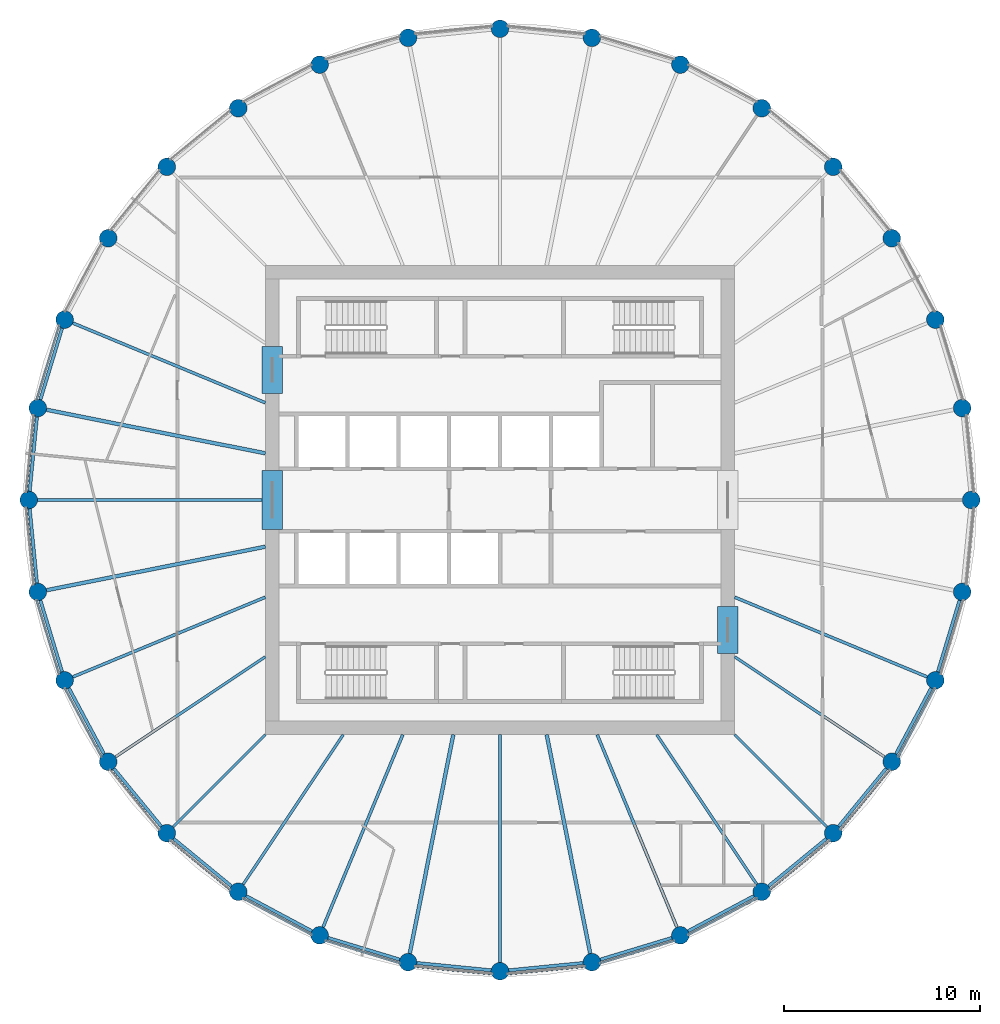
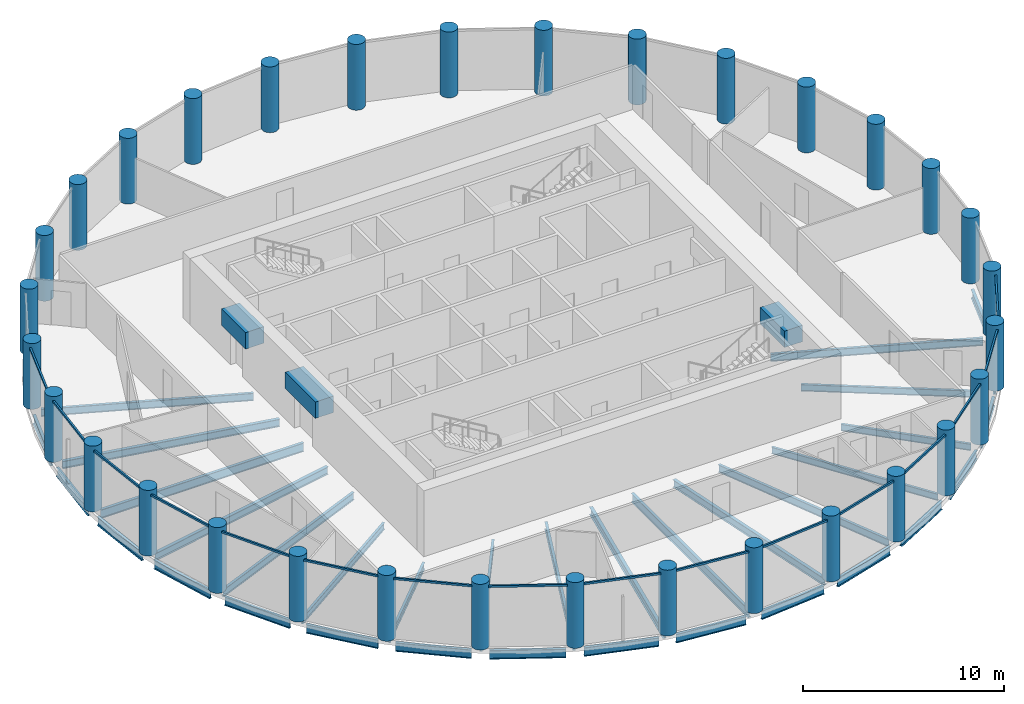
# One storey, part 1 of 7: 37 beams, 32 columns, 16 members, 16 elements without a shape of their own.
"""IFC4 building model written with IfcOpenShell, lengths in metres."""

from ifc_helpers import new_model, si_unit, direction, frame, origin, origin_2d, place, context, subcontext, project, spatial, rectangle, circle, i_section, extrude, material, material_profile, profile_set, type_object, element, aggregate, save


model = new_model("IFC4")

# Units and contexts
model_context = context("Model", 3, precision=1e-05, world=origin(), true_north=direction((0.0, 1.0)))
body_context = subcontext(model_context, "Body", "Model", "MODEL_VIEW")
ifc_project = project(units=[si_unit("LENGTHUNIT", "METRE"), si_unit("AREAUNIT", "SQUARE_METRE"), si_unit("VOLUMEUNIT", "CUBIC_METRE"), si_unit("PLANEANGLEUNIT", "RADIAN"), si_unit("MASSUNIT", "GRAM", prefix="KILO")], contexts=[model_context])

# Site, building, storey
site_placement = place(None, origin())
site = spatial("IfcSite", under=ifc_project, at=site_placement, CompositionType="ELEMENT")
building_placement = place(site_placement, origin())
building = spatial("IfcBuilding", under=site, at=building_placement, Name="Corvane Civic Tower", CompositionType="ELEMENT")
storey_placement = place(building_placement, frame((0.0, 0.0, 275.0)))
storey = spatial("IfcBuildingStorey", under=building, at=storey_placement, Name="L65", CompositionType="ELEMENT", Elevation=275.0)

# Columns
ifc_material_1 = material(Name="Concrete C60/75", Category="concrete")
ifc_material_profile_1 = material_profile(ifc_material_1, circle(Radius=0.449951171875, at=origin_2d()), Name="COLUMN 900")
ifc_profile_set_1 = profile_set([ifc_material_profile_1], Name="Concrete C60/75")
column_type = type_object("IfcColumnType", Name="RC COLUMN COLUMN 900", PredefinedType="COLUMN", material=ifc_profile_set_1)
for number, where, z_axis, x_axis, name in (
    (1, (0.0, 24.10009765625, 0.0), (0.0, 0.0, 1.0), (1.0, 0.0, 0.0), "COL-L65-E01"),
    (2, (4.70166015625, 23.636962890625, 0.0), (0.0, 0.0, 1.0), (1.0, 0.0, 0.0), "COL-L65-E02"),
    (3, (9.22265625, 22.265380859375, 0.0), (0.0, 0.0, 1.0), (1.0, 0.0, 0.0), "COL-L65-E03"),
    (4, (13.38916015625, 20.038330078125, 0.0), (0.0, 0.0, 1.0), (1.0, 0.0, 0.0), "COL-L65-E04"),
    (5, (17.041259765625, 17.041259765625, 0.0), (0.0, 0.0, 1.0), (1.0, 0.0, 0.0), "COL-L65-E05"),
    (6, (20.038330078125, 13.38916015625, 0.0), (0.0, 0.0, 1.0), (1.0, 0.0, 0.0), "COL-L65-E06"),
    (7, (22.265380859375, 9.22265625, 0.0), (0.0, 0.0, 1.0), (1.0, 0.0, 0.0), "COL-L65-E07"),
    (8, (23.636962890625, 4.70166015625, 0.0), (0.0, 0.0, 1.0), (1.0, 0.0, 0.0), "COL-L65-E08"),
    (9, (24.10009765625, 0.0, 0.0), (0.0, 0.0, 1.0), (1.0, 0.0, 0.0), "COL-L65-E09"),
    (10, (23.636962890625, -4.70166015625, 0.0), (0.0, 0.0, 1.0), (1.0, 0.0, 0.0), "COL-L65-E10"),
    (11, (22.265380859375, -9.22265625, 0.0), (0.0, 0.0, 1.0), (1.0, 0.0, 0.0), "COL-L65-E11"),
    (12, (20.038330078125, -13.38916015625, 0.0), (0.0, 0.0, 1.0), (1.0, 0.0, 0.0), "COL-L65-E12"),
    (13, (17.041259765625, -17.041259765625, 0.0), (0.0, 0.0, 1.0), (1.0, 0.0, 0.0), "COL-L65-E13"),
    (14, (13.38916015625, -20.038330078125, 0.0), (0.0, 0.0, 1.0), (1.0, 0.0, 0.0), "COL-L65-E14"),
    (15, (9.22265625, -22.265380859375, 0.0), (0.0, 0.0, 1.0), (1.0, 0.0, 0.0), "COL-L65-E15"),
    (16, (4.70166015625, -23.636962890625, 0.0), (0.0, 0.0, 1.0), (1.0, 0.0, 0.0), "COL-L65-E16"),
    (17, (0.0, -24.10009765625, 0.0), (0.0, 0.0, 1.0), (1.0, 0.0, 0.0), "COL-L65-E17"),
    (18, (-4.70166015625, -23.636962890625, 0.0), (0.0, 0.0, 1.0), (1.0, 0.0, 0.0), "COL-L65-E18"),
    (19, (-9.22265625, -22.265380859375, 0.0), (0.0, 0.0, 1.0), (1.0, 0.0, 0.0), "COL-L65-E19"),
    (20, (-13.38916015625, -20.038330078125, 0.0), (0.0, 0.0, 1.0), (1.0, 0.0, 0.0), "COL-L65-E20"),
    (21, (-17.041259765625, -17.041259765625, 0.0), (0.0, 0.0, 1.0), (1.0, 0.0, 0.0), "COL-L65-E21"),
    (22, (-20.038330078125, -13.38916015625, 0.0), (0.0, 0.0, 1.0), (1.0, 0.0, 0.0), "COL-L65-E22"),
    (23, (-22.265380859375, -9.22265625, 0.0), (0.0, 0.0, 1.0), (1.0, 0.0, 0.0), "COL-L65-E23"),
    (24, (-23.636962890625, -4.70166015625, 0.0), (0.0, 0.0, 1.0), (1.0, 0.0, 0.0), "COL-L65-E24"),
    (25, (-24.10009765625, 0.0, 0.0), (0.0, 0.0, 1.0), (1.0, 0.0, 0.0), "COL-L65-E25"),
    (26, (-23.636962890625, 4.70166015625, 0.0), (0.0, 0.0, 1.0), (1.0, 0.0, 0.0), "COL-L65-E26"),
    (27, (-22.265380859375, 9.22265625, 0.0), (0.0, 0.0, 1.0), (1.0, 0.0, 0.0), "COL-L65-E27"),
    (28, (-20.038330078125, 13.38916015625, 0.0), (0.0, 0.0, 1.0), (1.0, 0.0, 0.0), "COL-L65-E28"),
    (29, (-17.041259765625, 17.041259765625, 0.0), (0.0, 0.0, 1.0), (1.0, 0.0, 0.0), "COL-L65-E29"),
    (30, (-13.38916015625, 20.038330078125, 0.0), (0.0, 0.0, 1.0), (1.0, 0.0, 0.0), "COL-L65-E30"),
    (31, (-9.22265625, 22.265380859375, 0.0), (0.0, 0.0, 1.0), (1.0, 0.0, 0.0), "COL-L65-E31"),
    (32, (-4.70166015625, 23.636962890625, 0.0), (0.0, 0.0, 1.0), (1.0, 0.0, 0.0), "COL-L65-E32"),
):
    element("IfcColumn", number, at=place(storey_placement, frame(where, z_axis=z_axis, x_axis=x_axis)), inside=storey, type_object=column_type, Name=name, PredefinedType="COLUMN", context=body_context, shape_type="SweptSolid", body=[
        extrude(circle(Radius=0.449951171875, at=origin_2d()), origin(), (0.0, 0.0, 1.0), 4.0),
    ])

# Beams
ifc_material_2 = material(Name="Concrete C40/50", Category="concrete")
ifc_material_profile_2 = material_profile(ifc_material_2, rectangle(XDim=1.050048828125, YDim=1.0, at=origin_2d()), Name="COUPLING BEAM 1050X1000")
ifc_profile_set_2 = profile_set([ifc_material_profile_2], Name="Concrete C40/50")
beam_type_1 = type_object("IfcBeamType", Name="COUPLING BEAM COUPLING BEAM 1050X1000", PredefinedType="BEAM", material=ifc_profile_set_2)
beam_1_placement = place(storey_placement, frame((-11.64990234375, -1.5, 2.60009765625), z_axis=(0.0, 1.0, 0.0), x_axis=(-1.0, 0.0, 0.0)))
element("IfcBeam", 33, at=beam_1_placement, inside=storey, type_object=beam_type_1, Name="BM-L65-cpl-CW-LW", PredefinedType="BEAM", context=body_context, shape_type="SweptSolid", body=[
    extrude(rectangle(XDim=1.050048828125, YDim=1.0, at=origin_2d()), origin(), (0.0, 0.0, 1.0), 3.0),
])
for number, where, z_axis, x_axis, name in (
    (34, (-11.64990234375, 5.449951171875, 2.60009765625), (0.0, 1.0, 0.0), (-1.0, 0.0, 0.0), "BM-L65-cpl-CW-WN"),
    (35, (11.64990234375, -7.85009765625, 2.60009765625), (0.0, 1.0, 0.0), (-1.0, 0.0, 0.0), "BM-L65-cpl-CW-ES"),
):
    element("IfcBeam", number, at=place(storey_placement, frame(where, z_axis=z_axis, x_axis=x_axis)), inside=storey, type_object=beam_type_1, Name=name, PredefinedType="BEAM", context=body_context, shape_type="SweptSolid", body=[
        extrude(rectangle(XDim=1.050048828125, YDim=1.0, at=origin_2d()), origin(), (0.0, 0.0, 1.0), 2.400146484375),
    ])
ifc_material_3 = material(Name="Steel ASTM A992 Gr 50", Category="steel")
ifc_material_profile_3 = material_profile(ifc_material_3, i_section(OverallWidth=0.165771484375, OverallDepth=0.5283203125, WebThickness=0.009765625, FlangeThickness=0.013671875, at=origin_2d()), Name="W21X50")
ifc_profile_set_3 = profile_set([ifc_material_profile_3], Name="Steel ASTM A992 Gr 50")
beam_type_2 = type_object("IfcBeamType", Name="EDGE BEAM W21X50", PredefinedType="BEAM", material=ifc_profile_set_3)
beam_2_placement = place(storey_placement, frame((23.50634765625, -5.13232421875, -0.564208984375), z_axis=(-0.290333385085, -0.95692555902, 0.0), x_axis=(0.95692555902, -0.290333385085, 0.0)))
element("IfcBeam", 36, at=beam_2_placement, inside=storey, type_object=beam_type_2, Name="BM-L65-E10", PredefinedType="BEAM", context=body_context, shape_type="SweptSolid", body=[
    extrude(i_section(OverallWidth=0.165771484375, OverallDepth=0.5283203125, WebThickness=0.009765625, FlangeThickness=0.013671875, at=origin_2d()), origin(), (0.0, 0.0, 1.0), 3.824462890625),
])
beam_3_placement = place(storey_placement, frame((22.05322265625, -9.61962890625, -0.564208984375), z_axis=(-0.471409804487, -0.881914279413, 0.0), x_axis=(0.881914279413, -0.471409804487, 0.0)))
element("IfcBeam", 37, at=beam_3_placement, inside=storey, type_object=beam_type_2, Name="BM-L65-E11", PredefinedType="BEAM", context=body_context, shape_type="SweptSolid", body=[
    extrude(i_section(OverallWidth=0.165771484375, OverallDepth=0.5283203125, WebThickness=0.009765625, FlangeThickness=0.013671875, at=origin_2d()), origin(), (0.0, 0.0, 1.0), 3.82421875),
])
for number, where, z_axis, x_axis, name in (
    (38, (19.7529296875, -13.737060546875, -0.564208984375), (-0.634408562057, -0.772997914867, 0.0), (0.772997914867, -0.634408562057, 0.0), "BM-L65-E12"),
    (39, (16.693359375, -17.32666015625, -0.564208984375), (-0.772997914867, -0.634408562057, 0.0), (0.634408562057, -0.772997914867, 0.0), "BM-L65-E13"),
):
    element("IfcBeam", number, at=place(storey_placement, frame(where, z_axis=z_axis, x_axis=x_axis)), inside=storey, type_object=beam_type_2, Name=name, PredefinedType="BEAM", context=body_context, shape_type="SweptSolid", body=[
        extrude(i_section(OverallWidth=0.165771484375, OverallDepth=0.5283203125, WebThickness=0.009765625, FlangeThickness=0.013671875, at=origin_2d()), origin(), (0.0, 0.0, 1.0), 3.824462890625),
    ])
beam_4_placement = place(storey_placement, frame((12.9921875, -20.25048828125, -0.564208984375), z_axis=(-0.881914279413, -0.471409804487, 0.0), x_axis=(0.471409804487, -0.881914279413, 0.0)))
element("IfcBeam", 40, at=beam_4_placement, inside=storey, type_object=beam_type_2, Name="BM-L65-E14", PredefinedType="BEAM", context=body_context, shape_type="SweptSolid", body=[
    extrude(i_section(OverallWidth=0.165771484375, OverallDepth=0.5283203125, WebThickness=0.009765625, FlangeThickness=0.013671875, at=origin_2d()), origin(), (0.0, 0.0, 1.0), 3.82421875),
])
for number, where, z_axis, x_axis, name in (
    (41, (8.7919921875, -22.39599609375, -0.564208984375), (-0.95692555902, -0.290333385085, 0.0), (0.290333385085, -0.95692555902, 0.0), "BM-L65-E15"),
    (42, (4.25390625, -23.68115234375, -0.564208984375), (-0.995187721162, -0.097986732007, 0.0), (0.097986732007, -0.995187721162, 0.0), "BM-L65-E16"),
    (43, (-0.44775390625, -24.055908203125, -0.564208984375), (-0.995187721162, 0.097986732007, 0.0), (-0.097986732007, -0.995187721162, 0.0), "BM-L65-E17"),
    (44, (-5.13232421875, -23.50634765625, -0.564208984375), (-0.95692555902, 0.290333385085, 0.0), (-0.290333385085, -0.95692555902, 0.0), "BM-L65-E18"),
):
    element("IfcBeam", number, at=place(storey_placement, frame(where, z_axis=z_axis, x_axis=x_axis)), inside=storey, type_object=beam_type_2, Name=name, PredefinedType="BEAM", context=body_context, shape_type="SweptSolid", body=[
        extrude(i_section(OverallWidth=0.165771484375, OverallDepth=0.5283203125, WebThickness=0.009765625, FlangeThickness=0.013671875, at=origin_2d()), origin(), (0.0, 0.0, 1.0), 3.824462890625),
    ])
beam_5_placement = place(storey_placement, frame((-9.61962890625, -22.05322265625, -0.564208984375), z_axis=(-0.881914279413, 0.471409804487, 0.0), x_axis=(-0.471409804487, -0.881914279413, 0.0)))
element("IfcBeam", 45, at=beam_5_placement, inside=storey, type_object=beam_type_2, Name="BM-L65-E19", PredefinedType="BEAM", context=body_context, shape_type="SweptSolid", body=[
    extrude(i_section(OverallWidth=0.165771484375, OverallDepth=0.5283203125, WebThickness=0.009765625, FlangeThickness=0.013671875, at=origin_2d()), origin(), (0.0, 0.0, 1.0), 3.82421875),
])
for number, where, z_axis, x_axis, name in (
    (46, (-13.737060546875, -19.7529296875, -0.564208984375), (-0.772997914867, 0.634408562057, 0.0), (-0.634408562057, -0.772997914867, 0.0), "BM-L65-E20"),
    (47, (-17.32666015625, -16.693359375, -0.564208984375), (-0.634408562057, 0.772997914867, 0.0), (-0.772997914867, -0.634408562057, 0.0), "BM-L65-E21"),
):
    element("IfcBeam", number, at=place(storey_placement, frame(where, z_axis=z_axis, x_axis=x_axis)), inside=storey, type_object=beam_type_2, Name=name, PredefinedType="BEAM", context=body_context, shape_type="SweptSolid", body=[
        extrude(i_section(OverallWidth=0.165771484375, OverallDepth=0.5283203125, WebThickness=0.009765625, FlangeThickness=0.013671875, at=origin_2d()), origin(), (0.0, 0.0, 1.0), 3.824462890625),
    ])
beam_6_placement = place(storey_placement, frame((-20.25048828125, -12.9921875, -0.564208984375), z_axis=(-0.471409804487, 0.881914279413, 0.0), x_axis=(-0.881914279413, -0.471409804487, 0.0)))
element("IfcBeam", 48, at=beam_6_placement, inside=storey, type_object=beam_type_2, Name="BM-L65-E22", PredefinedType="BEAM", context=body_context, shape_type="SweptSolid", body=[
    extrude(i_section(OverallWidth=0.165771484375, OverallDepth=0.5283203125, WebThickness=0.009765625, FlangeThickness=0.013671875, at=origin_2d()), origin(), (0.0, 0.0, 1.0), 3.82421875),
])
for number, where, z_axis, x_axis, name in (
    (49, (-22.39599609375, -8.7919921875, -0.564208984375), (-0.290333385085, 0.95692555902, 0.0), (-0.95692555902, -0.290333385085, 0.0), "BM-L65-E23"),
    (50, (-23.68115234375, -4.25390625, -0.564208984375), (-0.097986732007, 0.995187721162, 0.0), (-0.995187721162, -0.097986732007, 0.0), "BM-L65-E24"),
    (51, (-24.055908203125, 0.44775390625, -0.564208984375), (0.097986732007, 0.995187721162, 0.0), (-0.995187721162, 0.097986732007, 0.0), "BM-L65-E25"),
    (52, (-23.50634765625, 5.13232421875, -0.564208984375), (0.290333385085, 0.95692555902, 0.0), (-0.95692555902, 0.290333385085, 0.0), "BM-L65-E26"),
):
    element("IfcBeam", number, at=place(storey_placement, frame(where, z_axis=z_axis, x_axis=x_axis)), inside=storey, type_object=beam_type_2, Name=name, PredefinedType="BEAM", context=body_context, shape_type="SweptSolid", body=[
        extrude(i_section(OverallWidth=0.165771484375, OverallDepth=0.5283203125, WebThickness=0.009765625, FlangeThickness=0.013671875, at=origin_2d()), origin(), (0.0, 0.0, 1.0), 3.824462890625),
    ])
ifc_material_4 = material(Name="Steel ASTM A992 Gr 50", Category="steel")
ifc_material_profile_4 = material_profile(ifc_material_4, i_section(OverallWidth=0.140380859375, OverallDepth=0.40380859375, WebThickness=0.007080078125, FlangeThickness=0.01123046875, at=origin_2d()), Name="W16X31")
ifc_profile_set_4 = profile_set([ifc_material_profile_4], Name="Steel ASTM A992 Gr 50")
beam_type_3 = type_object("IfcBeamType", Name="FLOOR GIRDER W16X31", PredefinedType="BEAM", material=ifc_profile_set_4)
beam_7_placement = place(storey_placement, frame((12.0, -8.01806640625, -0.501953125), z_axis=(0.831471227061, -0.555567816355, 0.0), x_axis=(0.555567816355, 0.831471227061, 0.0)))
element("IfcBeam", 53, at=beam_7_placement, inside=storey, type_object=beam_type_3, Name="BM-L65-G12", PredefinedType="BEAM", context=body_context, shape_type="SweptSolid", body=[
    extrude(i_section(OverallWidth=0.140380859375, OverallDepth=0.40380859375, WebThickness=0.007080078125, FlangeThickness=0.01123046875, at=origin_2d()), origin(), (0.0, 0.0, 1.0), 9.2177734375),
])
beam_8_placement = place(storey_placement, frame((12.0, -12.0, -0.501953125), z_axis=(0.707106781187, -0.707106781187, 0.0), x_axis=(0.707106781187, 0.707106781187, 0.0)))
element("IfcBeam", 54, at=beam_8_placement, inside=storey, type_object=beam_type_3, Name="BM-L65-G13", PredefinedType="BEAM", context=body_context, shape_type="SweptSolid", body=[
    extrude(i_section(OverallWidth=0.140380859375, OverallDepth=0.40380859375, WebThickness=0.007080078125, FlangeThickness=0.01123046875, at=origin_2d()), origin(), (0.0, 0.0, 1.0), 6.679443359375),
])
for number, where, z_axis, x_axis, name in (
    (55, (8.01806640625, -12.0, -0.501953125), (0.555567816355, -0.831471227061, 0.0), (0.831471227061, 0.555567816355, 0.0), "BM-L65-G14"),
    (56, (-8.01806640625, -12.0, -0.501953125), (-0.555567816355, -0.831471227061, 0.0), (0.831471227061, -0.555567816355, 0.0), "BM-L65-G20"),
):
    element("IfcBeam", number, at=place(storey_placement, frame(where, z_axis=z_axis, x_axis=x_axis)), inside=storey, type_object=beam_type_3, Name=name, PredefinedType="BEAM", context=body_context, shape_type="SweptSolid", body=[
        extrude(i_section(OverallWidth=0.140380859375, OverallDepth=0.40380859375, WebThickness=0.007080078125, FlangeThickness=0.01123046875, at=origin_2d()), origin(), (0.0, 0.0, 1.0), 9.2177734375),
    ])
beam_9_placement = place(storey_placement, frame((-12.0, -12.0, -0.501953125), z_axis=(-0.707106781187, -0.707106781187, 0.0), x_axis=(0.707106781187, -0.707106781187, 0.0)))
element("IfcBeam", 57, at=beam_9_placement, inside=storey, type_object=beam_type_3, Name="BM-L65-G21", PredefinedType="BEAM", context=body_context, shape_type="SweptSolid", body=[
    extrude(i_section(OverallWidth=0.140380859375, OverallDepth=0.40380859375, WebThickness=0.007080078125, FlangeThickness=0.01123046875, at=origin_2d()), origin(), (0.0, 0.0, 1.0), 6.679443359375),
])
beam_10_placement = place(storey_placement, frame((-12.0, -8.01806640625, -0.501953125), z_axis=(-0.831471227061, -0.555567816355, 0.0), x_axis=(0.555567816355, -0.831471227061, 0.0)))
element("IfcBeam", 58, at=beam_10_placement, inside=storey, type_object=beam_type_3, Name="BM-L65-G22", PredefinedType="BEAM", context=body_context, shape_type="SweptSolid", body=[
    extrude(i_section(OverallWidth=0.140380859375, OverallDepth=0.40380859375, WebThickness=0.007080078125, FlangeThickness=0.01123046875, at=origin_2d()), origin(), (0.0, 0.0, 1.0), 9.2177734375),
])
ifc_material_5 = material(Name="Steel ASTM A992 Gr 50", Category="steel")
ifc_material_profile_5 = material_profile(ifc_material_5, i_section(OverallWidth=0.15283203125, OverallDepth=0.45458984375, WebThickness=0.008056640625, FlangeThickness=0.013427734375, at=origin_2d()), Name="W18X40")
ifc_profile_set_5 = profile_set([ifc_material_profile_5], Name="Steel ASTM A992 Gr 50")
beam_type_4 = type_object("IfcBeamType", Name="FLOOR GIRDER W18X40", PredefinedType="BEAM", material=ifc_profile_set_5)
for number, where, z_axis, x_axis, name in (
    (59, (12.0, -4.970458984375, -0.52734375), (0.923875048589, -0.382694257331, 0.0), (0.382694257331, 0.923875048589, 0.0), "BM-L65-G11"),
    (60, (4.970458984375, -12.0, -0.52734375), (0.382694257331, -0.923875048589, 0.0), (0.923875048589, 0.382694257331, 0.0), "BM-L65-G15"),
    (61, (-4.970458984375, -12.0, -0.52734375), (-0.382694257331, -0.923875048589, 0.0), (0.923875048589, -0.382694257331, 0.0), "BM-L65-G19"),
    (62, (-12.0, -4.970458984375, -0.52734375), (-0.923875048589, -0.382694257331, 0.0), (0.382694257331, -0.923875048589, 0.0), "BM-L65-G23"),
    (63, (-12.0, 4.970458984375, -0.52734375), (-0.923875048589, 0.382694257331, 0.0), (-0.382694257331, -0.923875048589, 0.0), "BM-L65-G27"),
):
    element("IfcBeam", number, at=place(storey_placement, frame(where, z_axis=z_axis, x_axis=x_axis)), inside=storey, type_object=beam_type_4, Name=name, PredefinedType="BEAM", context=body_context, shape_type="SweptSolid", body=[
        extrude(i_section(OverallWidth=0.15283203125, OverallDepth=0.45458984375, WebThickness=0.008056640625, FlangeThickness=0.013427734375, at=origin_2d()), origin(), (0.0, 0.0, 1.0), 10.661376953125),
    ])
ifc_material_6 = material(Name="Steel ASTM A992 Gr 50", Category="steel")
ifc_material_profile_6 = material_profile(ifc_material_6, i_section(OverallWidth=0.1904296875, OverallDepth=0.457275390625, WebThickness=0.009033203125, FlangeThickness=0.014404296875, at=origin_2d()), Name="W18X50")
ifc_profile_set_6 = profile_set([ifc_material_profile_6], Name="Steel ASTM A992 Gr 50")
beam_type_5 = type_object("IfcBeamType", Name="FLOOR GIRDER W18X50", PredefinedType="BEAM", material=ifc_profile_set_6)
for number, where, z_axis, x_axis, name in (
    (64, (2.386962890625, -12.0, -0.528564453125), (0.195079532402, -0.980787426529, 0.0), (0.980787426529, 0.195079532402, 0.0), "BM-L65-G16"),
    (65, (-2.386962890625, -12.0, -0.528564453125), (-0.195079532402, -0.980787426529, 0.0), (0.980787426529, -0.195079532402, 0.0), "BM-L65-G18"),
    (66, (-12.0, -2.386962890625, -0.528564453125), (-0.980787426529, -0.195079532402, 0.0), (0.195079532402, -0.980787426529, 0.0), "BM-L65-G24"),
    (67, (-12.0, 2.386962890625, -0.528564453125), (-0.980787426529, 0.195079532402, 0.0), (-0.195079532402, -0.980787426529, 0.0), "BM-L65-G26"),
):
    element("IfcBeam", number, at=place(storey_placement, frame(where, z_axis=z_axis, x_axis=x_axis)), inside=storey, type_object=beam_type_5, Name=name, PredefinedType="BEAM", context=body_context, shape_type="SweptSolid", body=[
        extrude(i_section(OverallWidth=0.1904296875, OverallDepth=0.457275390625, WebThickness=0.009033203125, FlangeThickness=0.014404296875, at=origin_2d()), origin(), (0.0, 0.0, 1.0), 11.414794921875),
    ])
ifc_material_7 = material(Name="Steel ASTM A992 Gr 50", Category="steel")
ifc_material_profile_7 = material_profile(ifc_material_7, i_section(OverallWidth=0.165771484375, OverallDepth=0.5283203125, WebThickness=0.009765625, FlangeThickness=0.013671875, at=origin_2d()), Name="W21X50")
ifc_profile_set_7 = profile_set([ifc_material_profile_7], Name="Steel ASTM A992 Gr 50")
beam_type_6 = type_object("IfcBeamType", Name="FLOOR GIRDER W21X50", PredefinedType="BEAM", material=ifc_profile_set_7)
for number, where, z_axis, x_axis, name in (
    (68, (0.0, -12.0, -0.564208984375), (0.0, -1.0, 0.0), (1.0, 0.0, 0.0), "BM-L65-G17"),
    (69, (-12.0, 0.0, -0.564208984375), (-1.0, 0.0, 0.0), (0.0, -1.0, 0.0), "BM-L65-G25"),
):
    element("IfcBeam", number, at=place(storey_placement, frame(where, z_axis=z_axis, x_axis=x_axis)), inside=storey, type_object=beam_type_6, Name=name, PredefinedType="BEAM", context=body_context, shape_type="SweptSolid", body=[
        extrude(i_section(OverallWidth=0.165771484375, OverallDepth=0.5283203125, WebThickness=0.009765625, FlangeThickness=0.013671875, at=origin_2d()), origin(), (0.0, 0.0, 1.0), 11.64990234375),
    ])

# Curtain wall, member
ifc_material_8 = material(Name="Anodised aluminium bronze", Category="aluminium")
curtain_wall_type = type_object("IfcCurtainWallType", Name="TOWER CW-T3 STICK CURTAIN WALL", PredefinedType="NOTDEFINED", material=ifc_material_8)
curtain_wall_1_placement = place(storey_placement, origin())
curtain_wall_1 = element("IfcCurtainWall", 70, at=curtain_wall_1_placement, inside=storey, type_object=curtain_wall_type, Name="Curtain wall CW-T3 L65 bay 11", PredefinedType="NOTDEFINED")
ifc_material_9 = material(Name="Anodised aluminium bronze", Category="aluminium")
ifc_material_profile_8 = material_profile(ifc_material_9, rectangle(XDim=0.10009765625, YDim=0.1201171875, at=origin_2d()), Name="TOWER CW-T3 TRANSOM 100x120")
ifc_profile_set_8 = profile_set([ifc_material_profile_8], Name="Anodised aluminium bronze")
member_type = type_object("IfcMemberType", Name="TOWER CW-T3 TRANSOM 100x120", PredefinedType="USERDEFINED", material=ifc_profile_set_8)
member_1_placement = place(storey_placement, frame((22.2431640625, -9.644775390625, 3.68994140625), z_axis=(-0.471468241052, -0.881883040816, 0.0), x_axis=(0.881883040816, -0.471468241052, 0.0)))
member_1 = element("IfcMember", 71, at=member_1_placement, type_object=member_type, Name="Transom CW-T3 L65 11.1", ObjectType="TRANSOM", PredefinedType="USERDEFINED", context=body_context, shape_type="SweptSolid", body=[
    extrude(rectangle(XDim=0.10009765625, YDim=0.1201171875, at=origin_2d()), origin(), (0.0, 0.0, 1.0), 3.958740234375),
])
aggregate(curtain_wall_1, [member_1])

curtain_wall_2_placement = place(storey_placement, origin())
curtain_wall_2 = element("IfcCurtainWall", 72, at=curtain_wall_2_placement, inside=storey, type_object=curtain_wall_type, Name="Curtain wall CW-T3 L65 bay 12", PredefinedType="NOTDEFINED")
member_2_placement = place(storey_placement, frame((19.93408203125, -13.798828125, 3.68994140625), z_axis=(-0.634415838373, -0.772991943051, 0.0), x_axis=(0.772991943051, -0.634415838373, 0.0)))
member_2 = element("IfcMember", 73, at=member_2_placement, type_object=member_type, Name="Transom CW-T3 L65 12.1", ObjectType="TRANSOM", PredefinedType="USERDEFINED", context=body_context, shape_type="SweptSolid", body=[
    extrude(rectangle(XDim=0.10009765625, YDim=0.1201171875, at=origin_2d()), origin(), (0.0, 0.0, 1.0), 3.958740234375),
])
aggregate(curtain_wall_2, [member_2])

curtain_wall_3_placement = place(storey_placement, origin())
curtain_wall_3 = element("IfcCurtainWall", 74, at=curtain_wall_3_placement, inside=storey, type_object=curtain_wall_type, Name="Curtain wall CW-T3 L65 bay 13", PredefinedType="NOTDEFINED")
member_3_placement = place(storey_placement, frame((16.85888671875, -17.422607421875, 3.68994140625), z_axis=(-0.772991943051, -0.634415838373, 0.0), x_axis=(0.634415838373, -0.772991943051, 0.0)))
member_3 = element("IfcMember", 75, at=member_3_placement, type_object=member_type, Name="Transom CW-T3 L65 13.1", ObjectType="TRANSOM", PredefinedType="USERDEFINED", context=body_context, shape_type="SweptSolid", body=[
    extrude(rectangle(XDim=0.10009765625, YDim=0.1201171875, at=origin_2d()), origin(), (0.0, 0.0, 1.0), 3.958740234375),
])
aggregate(curtain_wall_3, [member_3])

curtain_wall_4_placement = place(storey_placement, origin())
curtain_wall_4 = element("IfcCurtainWall", 76, at=curtain_wall_4_placement, inside=storey, type_object=curtain_wall_type, Name="Curtain wall CW-T3 L65 bay 14", PredefinedType="NOTDEFINED")
member_4_placement = place(storey_placement, frame((13.135986328125, -20.376708984375, 3.68994140625), z_axis=(-0.881883040816, -0.471468241052, 0.0), x_axis=(0.471468241052, -0.881883040816, 0.0)))
member_4 = element("IfcMember", 77, at=member_4_placement, type_object=member_type, Name="Transom CW-T3 L65 14.1", ObjectType="TRANSOM", PredefinedType="USERDEFINED", context=body_context, shape_type="SweptSolid", body=[
    extrude(rectangle(XDim=0.10009765625, YDim=0.1201171875, at=origin_2d()), origin(), (0.0, 0.0, 1.0), 3.958740234375),
])
aggregate(curtain_wall_4, [member_4])

curtain_wall_5_placement = place(storey_placement, origin())
curtain_wall_5 = element("IfcCurtainWall", 78, at=curtain_wall_5_placement, inside=storey, type_object=curtain_wall_type, Name="Curtain wall CW-T3 L65 bay 15", PredefinedType="NOTDEFINED")
member_5_placement = place(storey_placement, frame((8.908447265625, -22.548095703125, 3.68994140625), z_axis=(-0.956946054205, -0.290265825309, 0.0), x_axis=(0.290265825309, -0.956946054205, 0.0)))
member_5 = element("IfcMember", 79, at=member_5_placement, type_object=member_type, Name="Transom CW-T3 L65 15.1", ObjectType="TRANSOM", PredefinedType="USERDEFINED", context=body_context, shape_type="SweptSolid", body=[
    extrude(rectangle(XDim=0.10009765625, YDim=0.1201171875, at=origin_2d()), origin(), (0.0, 0.0, 1.0), 3.958984375),
])
aggregate(curtain_wall_5, [member_5])

curtain_wall_6_placement = place(storey_placement, origin())
curtain_wall_6 = element("IfcCurtainWall", 80, at=curtain_wall_6_placement, inside=storey, type_object=curtain_wall_type, Name="Curtain wall CW-T3 L65 bay 16", PredefinedType="NOTDEFINED")
member_6_placement = place(storey_placement, frame((4.338134765625, -23.852783203125, 3.68994140625), z_axis=(-0.995186866683, -0.097995409999, 0.0), x_axis=(0.097995409999, -0.995186866683, 0.0)))
member_6 = element("IfcMember", 81, at=member_6_placement, type_object=member_type, Name="Transom CW-T3 L65 16.1", ObjectType="TRANSOM", PredefinedType="USERDEFINED", context=body_context, shape_type="SweptSolid", body=[
    extrude(rectangle(XDim=0.10009765625, YDim=0.1201171875, at=origin_2d()), origin(), (0.0, 0.0, 1.0), 3.958740234375),
])
aggregate(curtain_wall_6, [member_6])

curtain_wall_7_placement = place(storey_placement, origin())
curtain_wall_7 = element("IfcCurtainWall", 82, at=curtain_wall_7_placement, inside=storey, type_object=curtain_wall_type, Name="Curtain wall CW-T3 L65 bay 17", PredefinedType="NOTDEFINED")
member_7_placement = place(storey_placement, frame((-0.3984375, -24.24072265625, 3.68994140625), z_axis=(-0.995186866683, 0.097995409999, 0.0), x_axis=(-0.097995409999, -0.995186866683, 0.0)))
member_7 = element("IfcMember", 83, at=member_7_placement, type_object=member_type, Name="Transom CW-T3 L65 17.1", ObjectType="TRANSOM", PredefinedType="USERDEFINED", context=body_context, shape_type="SweptSolid", body=[
    extrude(rectangle(XDim=0.10009765625, YDim=0.1201171875, at=origin_2d()), origin(), (0.0, 0.0, 1.0), 3.958740234375),
])
aggregate(curtain_wall_7, [member_7])

curtain_wall_8_placement = place(storey_placement, origin())
curtain_wall_8 = element("IfcCurtainWall", 84, at=curtain_wall_8_placement, inside=storey, type_object=curtain_wall_type, Name="Curtain wall CW-T3 L65 bay 18", PredefinedType="NOTDEFINED")
member_8_placement = place(storey_placement, frame((-5.119873046875, -23.697265625, 3.68994140625), z_axis=(-0.956946054205, 0.290265825309, 0.0), x_axis=(-0.290265825309, -0.956946054205, 0.0)))
member_8 = element("IfcMember", 85, at=member_8_placement, type_object=member_type, Name="Transom CW-T3 L65 18.1", ObjectType="TRANSOM", PredefinedType="USERDEFINED", context=body_context, shape_type="SweptSolid", body=[
    extrude(rectangle(XDim=0.10009765625, YDim=0.1201171875, at=origin_2d()), origin(), (0.0, 0.0, 1.0), 3.958984375),
])
aggregate(curtain_wall_8, [member_8])

curtain_wall_9_placement = place(storey_placement, origin())
curtain_wall_9 = element("IfcCurtainWall", 86, at=curtain_wall_9_placement, inside=storey, type_object=curtain_wall_type, Name="Curtain wall CW-T3 L65 bay 19", PredefinedType="NOTDEFINED")
member_9_placement = place(storey_placement, frame((-9.644775390625, -22.2431640625, 3.68994140625), z_axis=(-0.881883040816, 0.471468241052, 0.0), x_axis=(-0.471468241052, -0.881883040816, 0.0)))
member_9 = element("IfcMember", 87, at=member_9_placement, type_object=member_type, Name="Transom CW-T3 L65 19.1", ObjectType="TRANSOM", PredefinedType="USERDEFINED", context=body_context, shape_type="SweptSolid", body=[
    extrude(rectangle(XDim=0.10009765625, YDim=0.1201171875, at=origin_2d()), origin(), (0.0, 0.0, 1.0), 3.958740234375),
])
aggregate(curtain_wall_9, [member_9])

curtain_wall_10_placement = place(storey_placement, origin())
curtain_wall_10 = element("IfcCurtainWall", 88, at=curtain_wall_10_placement, inside=storey, type_object=curtain_wall_type, Name="Curtain wall CW-T3 L65 bay 20", PredefinedType="NOTDEFINED")
member_10_placement = place(storey_placement, frame((-13.798828125, -19.93408203125, 3.68994140625), z_axis=(-0.772991943051, 0.634415838373, 0.0), x_axis=(-0.634415838373, -0.772991943051, 0.0)))
member_10 = element("IfcMember", 89, at=member_10_placement, type_object=member_type, Name="Transom CW-T3 L65 20.1", ObjectType="TRANSOM", PredefinedType="USERDEFINED", context=body_context, shape_type="SweptSolid", body=[
    extrude(rectangle(XDim=0.10009765625, YDim=0.1201171875, at=origin_2d()), origin(), (0.0, 0.0, 1.0), 3.958740234375),
])
aggregate(curtain_wall_10, [member_10])

curtain_wall_11_placement = place(storey_placement, origin())
curtain_wall_11 = element("IfcCurtainWall", 90, at=curtain_wall_11_placement, inside=storey, type_object=curtain_wall_type, Name="Curtain wall CW-T3 L65 bay 21", PredefinedType="NOTDEFINED")
member_11_placement = place(storey_placement, frame((-17.422607421875, -16.85888671875, 3.68994140625), z_axis=(-0.634415838373, 0.772991943051, 0.0), x_axis=(-0.772991943051, -0.634415838373, 0.0)))
member_11 = element("IfcMember", 91, at=member_11_placement, type_object=member_type, Name="Transom CW-T3 L65 21.1", ObjectType="TRANSOM", PredefinedType="USERDEFINED", context=body_context, shape_type="SweptSolid", body=[
    extrude(rectangle(XDim=0.10009765625, YDim=0.1201171875, at=origin_2d()), origin(), (0.0, 0.0, 1.0), 3.958740234375),
])
aggregate(curtain_wall_11, [member_11])

curtain_wall_12_placement = place(storey_placement, origin())
curtain_wall_12 = element("IfcCurtainWall", 92, at=curtain_wall_12_placement, inside=storey, type_object=curtain_wall_type, Name="Curtain wall CW-T3 L65 bay 22", PredefinedType="NOTDEFINED")
member_12_placement = place(storey_placement, frame((-20.376708984375, -13.135986328125, 3.68994140625), z_axis=(-0.471468241052, 0.881883040816, 0.0), x_axis=(-0.881883040816, -0.471468241052, 0.0)))
member_12 = element("IfcMember", 93, at=member_12_placement, type_object=member_type, Name="Transom CW-T3 L65 22.1", ObjectType="TRANSOM", PredefinedType="USERDEFINED", context=body_context, shape_type="SweptSolid", body=[
    extrude(rectangle(XDim=0.10009765625, YDim=0.1201171875, at=origin_2d()), origin(), (0.0, 0.0, 1.0), 3.958740234375),
])
aggregate(curtain_wall_12, [member_12])

curtain_wall_13_placement = place(storey_placement, origin())
curtain_wall_13 = element("IfcCurtainWall", 94, at=curtain_wall_13_placement, inside=storey, type_object=curtain_wall_type, Name="Curtain wall CW-T3 L65 bay 23", PredefinedType="NOTDEFINED")
member_13_placement = place(storey_placement, frame((-22.548095703125, -8.908447265625, 3.68994140625), z_axis=(-0.290265825309, 0.956946054205, 0.0), x_axis=(-0.956946054205, -0.290265825309, 0.0)))
member_13 = element("IfcMember", 95, at=member_13_placement, type_object=member_type, Name="Transom CW-T3 L65 23.1", ObjectType="TRANSOM", PredefinedType="USERDEFINED", context=body_context, shape_type="SweptSolid", body=[
    extrude(rectangle(XDim=0.10009765625, YDim=0.1201171875, at=origin_2d()), origin(), (0.0, 0.0, 1.0), 3.958984375),
])
aggregate(curtain_wall_13, [member_13])

curtain_wall_14_placement = place(storey_placement, origin())
curtain_wall_14 = element("IfcCurtainWall", 96, at=curtain_wall_14_placement, inside=storey, type_object=curtain_wall_type, Name="Curtain wall CW-T3 L65 bay 24", PredefinedType="NOTDEFINED")
member_14_placement = place(storey_placement, frame((-23.852783203125, -4.338134765625, 3.68994140625), z_axis=(-0.097995409999, 0.995186866683, 0.0), x_axis=(-0.995186866683, -0.097995409999, 0.0)))
member_14 = element("IfcMember", 97, at=member_14_placement, type_object=member_type, Name="Transom CW-T3 L65 24.1", ObjectType="TRANSOM", PredefinedType="USERDEFINED", context=body_context, shape_type="SweptSolid", body=[
    extrude(rectangle(XDim=0.10009765625, YDim=0.1201171875, at=origin_2d()), origin(), (0.0, 0.0, 1.0), 3.958740234375),
])
aggregate(curtain_wall_14, [member_14])

curtain_wall_15_placement = place(storey_placement, origin())
curtain_wall_15 = element("IfcCurtainWall", 98, at=curtain_wall_15_placement, inside=storey, type_object=curtain_wall_type, Name="Curtain wall CW-T3 L65 bay 25", PredefinedType="NOTDEFINED")
member_15_placement = place(storey_placement, frame((-24.24072265625, 0.3984375, 3.68994140625), z_axis=(0.097995409999, 0.995186866683, 0.0), x_axis=(-0.995186866683, 0.097995409999, 0.0)))
member_15 = element("IfcMember", 99, at=member_15_placement, type_object=member_type, Name="Transom CW-T3 L65 25.1", ObjectType="TRANSOM", PredefinedType="USERDEFINED", context=body_context, shape_type="SweptSolid", body=[
    extrude(rectangle(XDim=0.10009765625, YDim=0.1201171875, at=origin_2d()), origin(), (0.0, 0.0, 1.0), 3.958740234375),
])
aggregate(curtain_wall_15, [member_15])

curtain_wall_16_placement = place(storey_placement, origin())
curtain_wall_16 = element("IfcCurtainWall", 100, at=curtain_wall_16_placement, inside=storey, type_object=curtain_wall_type, Name="Curtain wall CW-T3 L65 bay 26", PredefinedType="NOTDEFINED")
member_16_placement = place(storey_placement, frame((-23.697265625, 5.119873046875, 3.68994140625), z_axis=(0.290265825309, 0.956946054205, 0.0), x_axis=(-0.956946054205, 0.290265825309, 0.0)))
member_16 = element("IfcMember", 101, at=member_16_placement, type_object=member_type, Name="Transom CW-T3 L65 26.1", ObjectType="TRANSOM", PredefinedType="USERDEFINED", context=body_context, shape_type="SweptSolid", body=[
    extrude(rectangle(XDim=0.10009765625, YDim=0.1201171875, at=origin_2d()), origin(), (0.0, 0.0, 1.0), 3.958984375),
])
aggregate(curtain_wall_16, [member_16])

save(model, "model.ifc")
